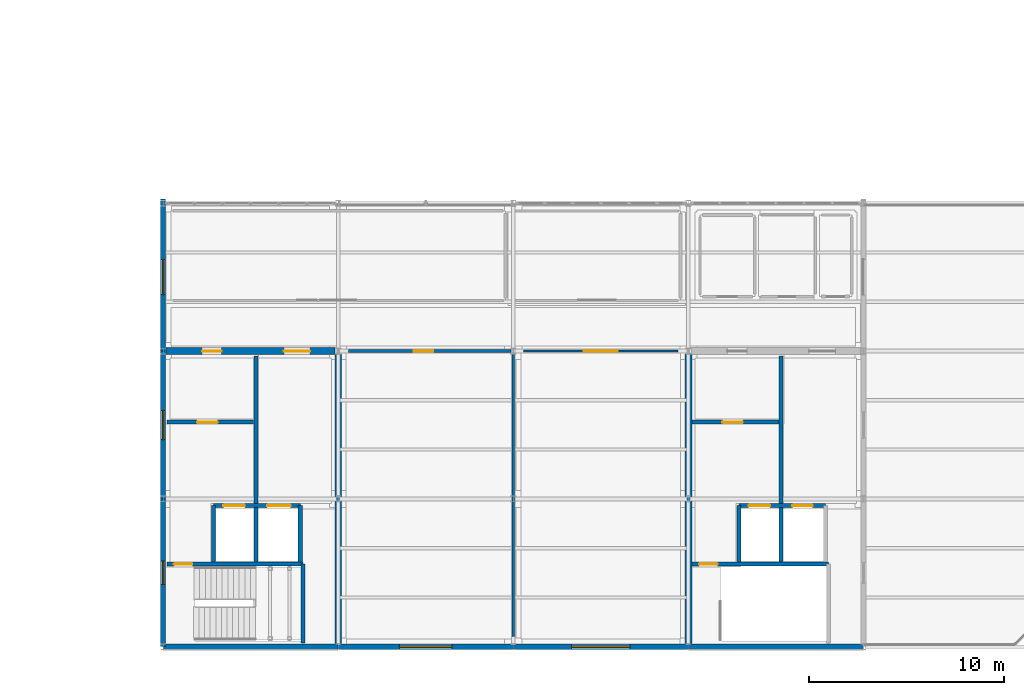
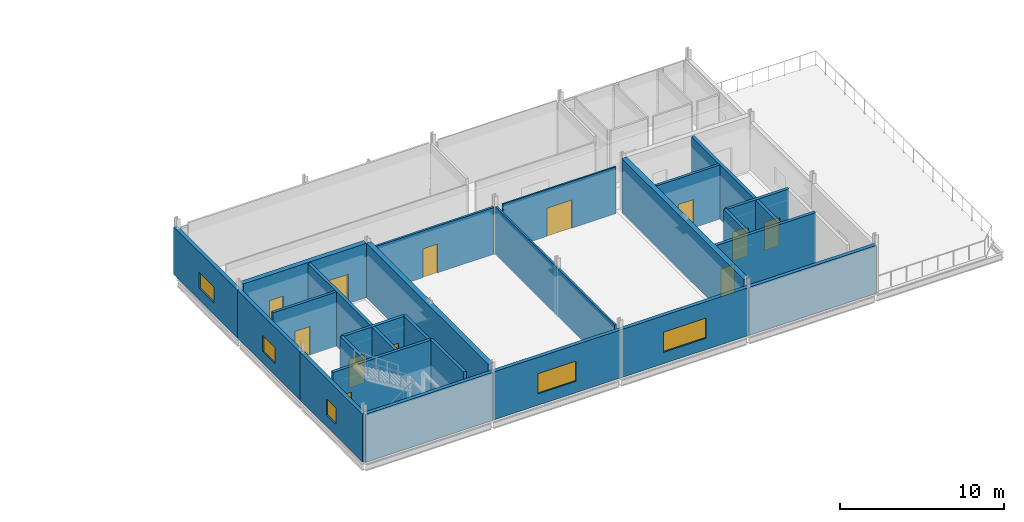
# One storey, part 20 of 24: 25 walls, 12 doors, 5 windows, 17 openings.
"""IFC4 building model written with IfcOpenShell, lengths in metres."""

import ifcopenshell
import ifcopenshell.guid

model = None  # the IFC model being written
_history = None  # IfcOwnerHistory: only IFC2X3 demands one
_inside = {}  # id of a spatial element -> (the spatial element, [elements in it])
_under = {}  # id of a project, library or spatial element -> (it, [spatial elements below it])
_declared = {}  # id of a project -> (the project, [libraries it declares])
_typed = {}  # id of a type object -> (the type object, [elements of that type])
_made_of = {}  # id of a material, layer set ... -> (it, [elements and type objects made of it])


def new_model(schema):
    """Start an empty IFC model of exactly this schema.

    Asked for "IFC4X3", IfcOpenShell would pick the latest addendum, in which some entities
    have other attributes; the version numbers below select the first issue.
    IFC2X3 requires an IfcOwnerHistory on every rooted entity: one is made here for all.
    """
    global model, _history
    if schema == "IFC4X3":
        model = ifcopenshell.file(schema_version=(4, 3, 0, 0))
    else:
        model = ifcopenshell.file(schema=schema)
    _inside.clear()
    _under.clear()
    _declared.clear()
    _typed.clear()
    _made_of.clear()
    _history = None
    if model.schema == "IFC2X3":
        org = make("IfcOrganization", Name="unknown")
        user = make(
            "IfcPersonAndOrganization",
            ThePerson=make("IfcPerson", FamilyName="unknown"),
            TheOrganization=org,
        )
        app = make(
            "IfcApplication",
            ApplicationDeveloper=org,
            Version="unknown",
            ApplicationFullName="unknown",
            ApplicationIdentifier="unknown",
        )
        _history = make(
            "IfcOwnerHistory",
            OwningUser=user,
            OwningApplication=app,
            ChangeAction="ADDED",
            CreationDate=0,
        )
    return model


def make(cls, **values):
    """One entity of the class cls with the attributes given. An attribute that is None is left unset."""
    return model.create_entity(
        cls, **{name: value for name, value in values.items() if value is not None}
    )


def rooted(cls, **values):
    """An entity with a GlobalId (a new one), such as an element, a storey or a relation."""
    return make(cls, GlobalId=ifcopenshell.guid.new(), OwnerHistory=_history, **values)


def si_unit(unit_type, name, prefix=None):
    """IfcSIUnit, for example si_unit("LENGTHUNIT", "METRE", prefix="MILLI")."""
    return make("IfcSIUnit", UnitType=unit_type, Prefix=prefix, Name=name)


def assignment(units):
    """IfcUnitAssignment: the units of a project."""
    return None if units is None else make("IfcUnitAssignment", Units=units)


def point(xyz):
    """IfcCartesianPoint."""
    return None if xyz is None else make("IfcCartesianPoint", Coordinates=xyz)


def direction(xyz):
    """IfcDirection."""
    return None if xyz is None else make("IfcDirection", DirectionRatios=xyz)


def frame(location, z_axis=None, x_axis=None):
    """IfcAxis2Placement3D, a coordinate frame: its origin and axes. An axis left out is left unset."""
    return make(
        "IfcAxis2Placement3D",
        Location=point(location),
        Axis=direction(z_axis),
        RefDirection=direction(x_axis),
    )


def frame_2d(location, x_axis=None):
    """IfcAxis2Placement2D, a coordinate frame in the plane: its origin and x axis."""
    return make(
        "IfcAxis2Placement2D", Location=point(location), RefDirection=direction(x_axis)
    )


def origin():
    """The frame at (0, 0, 0) with its axes left unset."""
    return frame((0.0, 0.0, 0.0))


def place(relative_to, where):
    """IfcLocalPlacement: puts the frame where relative to a parent placement (None: the world)."""
    return make(
        "IfcLocalPlacement", PlacementRelTo=relative_to, RelativePlacement=where
    )


def context(
    kind, dimensions, precision=None, world=None, true_north=None, identifier=None
):
    """IfcGeometricRepresentationContext, for example the 3D "Model" context."""
    return make(
        "IfcGeometricRepresentationContext",
        ContextIdentifier=identifier,
        ContextType=kind,
        CoordinateSpaceDimension=dimensions,
        Precision=precision,
        WorldCoordinateSystem=world,
        TrueNorth=true_north,
    )


def subcontext(parent, identifier, kind, view, scale=None):
    """IfcGeometricRepresentationSubContext, for example "Body" below "Model"."""
    return make(
        "IfcGeometricRepresentationSubContext",
        ContextIdentifier=identifier,
        ContextType=kind,
        ParentContext=parent,
        TargetScale=scale,
        TargetView=view,
    )


def project(units=None, contexts=None):
    """IfcProject with its units and contexts."""
    return rooted(
        "IfcProject",
        Name="project",
        RepresentationContexts=contexts,
        UnitsInContext=assignment(units),
    )


def spatial(cls, under=None, at=None, **own):
    """A site, building, storey or space (cls), placed at a placement, below another one or the project."""
    s = rooted(cls, ObjectPlacement=at, **own)
    if under is not None:
        _under.setdefault(under.id(), (under, []))[1].append(s)
    return s


def profile(cls, at=None, kind="AREA", **sizes):
    """A parametric profile (cls). Its sizes go by their IFC names, for example OverallWidth=200.0."""
    return make(cls, ProfileType=kind, Position=at, **sizes)


def rectangle(**sizes):
    """IfcRectangleProfileDef."""
    return profile("IfcRectangleProfileDef", **sizes)


def extrude(swept, where, along, depth):
    """IfcExtrudedAreaSolid: the profile swept, set in the frame where, extruded along a direction by depth."""
    return make(
        "IfcExtrudedAreaSolid",
        SweptArea=swept,
        Position=where,
        ExtrudedDirection=direction(along),
        Depth=depth,
    )


def shape(context_of_items, identifier, shape_type, items):
    """IfcShapeRepresentation: the items that make up one representation, for example the "Body"."""
    return make(
        "IfcShapeRepresentation",
        ContextOfItems=context_of_items,
        RepresentationIdentifier=identifier,
        RepresentationType=shape_type,
        Items=items,
    )


def material(Name=None, Category=None):
    """IfcMaterial."""
    return make("IfcMaterial", Name=Name, Category=Category)


def layer(
    of_material, thickness, ventilated=None, Name=None, Category=None, Priority=None
):
    """IfcMaterialLayer: one layer of a wall or slab, of a material (None: an air gap)."""
    return make(
        "IfcMaterialLayer",
        Material=of_material,
        LayerThickness=thickness,
        IsVentilated=ventilated,
        Name=Name,
        Category=Category,
        Priority=Priority,
    )


def layer_set(layers, Name=None):
    """IfcMaterialLayerSet."""
    return make("IfcMaterialLayerSet", MaterialLayers=layers, LayerSetName=Name)


def made_of(thing, what):
    """Note that an element or type object is made of a material, layer set ...; save() writes the relation."""
    if what is not None:
        _made_of.setdefault(what.id(), (what, []))[1].append(thing)
    return thing


def type_object(cls, material=None, **own):
    """A type object (cls), such as IfcWallType, which elements share."""
    return made_of(rooted(cls, **own), material)


def element(
    cls,
    number,
    at=None,
    inside=None,
    cuts=None,
    type_object=None,
    material=None,
    context=None,
    identifier="Body",
    shape_type=None,
    held_by="IfcProductDefinitionShape",
    body=None,
    shapes=None,
    **own,
):
    """One element of the class cls, such as IfcWall. Its Tag is "e" and its number.

    at: its placement. inside: the storey or other place that contains it. cuts: it is an
    opening in that element (IfcRelVoidsElement). A single representation is given by context,
    identifier, shape_type and body (its items); several are given by shapes. held_by: the class
    of the entity that holds the representations. save() writes the other relations.
    """
    e = rooted(cls, Tag="e%d" % number, ObjectPlacement=at, **own)
    if body is not None:
        shapes = [shape(context, identifier, shape_type, body)]
    if shapes is not None:
        e.Representation = make(held_by, Representations=shapes)
    if inside is not None:
        _inside.setdefault(inside.id(), (inside, []))[1].append(e)
    if cuts is not None:
        rooted(
            "IfcRelVoidsElement", RelatingBuildingElement=cuts, RelatedOpeningElement=e
        )
    if type_object is not None:
        _typed.setdefault(type_object.id(), (type_object, []))[1].append(e)
    return made_of(e, material)


def fill(opening, filler):
    """IfcRelFillsElement: the door or window that sits in an opening."""
    return rooted(
        "IfcRelFillsElement",
        RelatingOpeningElement=opening,
        RelatedBuildingElement=filler,
    )


def aggregate(whole, parts):
    """IfcRelAggregates: a whole, such as a stair, and the parts it consists of."""
    return rooted("IfcRelAggregates", RelatingObject=whole, RelatedObjects=parts)


def save(model, path):
    """Write the relations noted so far, then the file.

    IfcRelAggregates (storeys below a building ...), IfcRelContainedInSpatialStructure (elements
    in a storey), IfcRelDefinesByType, IfcRelAssociatesMaterial and IfcRelDeclares: one each for
    every whole, place, type object, material and project.
    """
    for whole, parts in _under.values():
        aggregate(whole, parts)
    for where, things in _inside.values():
        rooted(
            "IfcRelContainedInSpatialStructure",
            RelatedElements=things,
            RelatingStructure=where,
        )
    for kind, things in _typed.values():
        rooted("IfcRelDefinesByType", RelatedObjects=things, RelatingType=kind)
    for what, things in _made_of.values():
        rooted("IfcRelAssociatesMaterial", RelatedObjects=things, RelatingMaterial=what)
    for by, libraries in _declared.values():
        rooted("IfcRelDeclares", RelatingContext=by, RelatedDefinitions=libraries)
    model.write(path)


model = new_model("IFC4")

# Units and contexts
model_context = context("Model", 3, precision=1e-05, world=origin(), true_north=direction((0.0, 1.0)))
body_context = subcontext(model_context, "Body", "Model", "MODEL_VIEW")
ifc_project = project(units=[si_unit("LENGTHUNIT", "METRE"), si_unit("AREAUNIT", "SQUARE_METRE"), si_unit("VOLUMEUNIT", "CUBIC_METRE"), si_unit("PLANEANGLEUNIT", "RADIAN"), si_unit("MASSUNIT", "GRAM", prefix="KILO")], contexts=[model_context])

# Site, building, storey
site_placement = place(None, origin())
site = spatial("IfcSite", under=ifc_project, at=site_placement, CompositionType="ELEMENT")
building_placement = place(site_placement, origin())
building = spatial("IfcBuilding", under=site, at=building_placement, Name="Caisbarro Railhouse Central Library", CompositionType="ELEMENT")
storey_placement = place(building_placement, frame((0.0, 0.0, 22.320068359375)))
storey = spatial("IfcBuildingStorey", under=building, at=storey_placement, Name="L05", CompositionType="ELEMENT", Elevation=22.320068359375)

# Wall, openings, doors
ifc_material_1 = material(Name="Concrete C40", Category="concrete")
ifc_layer_1 = layer(ifc_material_1, 0.35009765625, Name="Concrete C40")
ifc_layer_set_1 = layer_set([ifc_layer_1], Name="Concrete C40")
wall_type_1 = type_object("IfcWallType", Name="WAL-CW35", PredefinedType="SHEAR", material=ifc_layer_set_1)
wall_1_placement = place(storey_placement, frame((63.159912109375, 15.199951171875, 0.0), z_axis=(0.0, 0.0, 1.0), x_axis=(1.0, 0.0, 0.0)))
wall_1 = element("IfcWall", 1, at=wall_1_placement, inside=storey, type_object=wall_type_1, Name="CW35 RC core shear wall L05 #18", PredefinedType="SHEAR", context=body_context, shape_type="SweptSolid", body=[
    extrude(rectangle(XDim=8.68017578125, YDim=0.35009765625, at=frame_2d((4.340087890625, 0.0))), origin(), (0.0, 0.0, 1.0), 4.0400390625),
])
opening_1_placement = place(wall_1_placement, frame((1.85009765625, 0.0, 0.0)))
opening_1 = element("IfcOpeningElement", 2, at=opening_1_placement, cuts=wall_1, Name="Opening FD05", PredefinedType="OPENING", context=body_context, shape_type="SweptSolid", body=[
    extrude(rectangle(XDim=1.0, YDim=2.14990234375, at=frame_2d((0.5, 1.074951171875))), frame((0.0, 0.18505859375, 0.0), z_axis=(0.0, -1.0, 0.0), x_axis=(1.0, 0.0, 0.0)), (0.0, 0.0, 1.0), 0.3701171875),
])
opening_2_placement = place(wall_1_placement, frame((6.050048828125, 0.0, 0.0)))
opening_2 = element("IfcOpeningElement", 3, at=opening_2_placement, cuts=wall_1, Name="Opening FD06", PredefinedType="OPENING", context=body_context, shape_type="SweptSolid", body=[
    extrude(rectangle(XDim=1.35009765625, YDim=2.179931640625, at=frame_2d((0.675048828125, 1.08984375))), frame((0.0, 0.18505859375, 0.0), z_axis=(0.0, -1.0, 0.0), x_axis=(1.0, 0.0, 0.0)), (0.0, 0.0, 1.0), 0.3701171875),
])
ifc_material_2 = material(Name="Fire-rated painted galvanised steel", Category="steel")
door_type_1 = type_object("IfcDoorType", Name="DR-FD05", OperationType="NOTDEFINED", PredefinedType="DOOR", material=ifc_material_2)
door_1_placement = place(opening_1_placement, origin())
door_1 = element("IfcDoor", 4, at=door_1_placement, inside=storey, type_object=door_type_1, Name="Core K1 Vestibule Door FD05 L05-041", OperationType="SINGLE_SWING_LEFT", OverallHeight=2.14990234375, OverallWidth=1.0, PredefinedType="DOOR", context=body_context, shape_type="SweptSolid", body=[
    extrude(rectangle(XDim=1.0, YDim=2.14990234375, at=frame_2d((0.5, 1.074951171875))), frame((0.0, 0.02490234375, 0.0), z_axis=(0.0, -1.0, 0.0), x_axis=(1.0, 0.0, 0.0)), (0.0, 0.0, 1.0), 0.050048828125),
])
fill(opening_1, door_1)
door_type_2 = type_object("IfcDoorType", Name="DR-FD06", OperationType="NOTDEFINED", PredefinedType="DOOR", material=ifc_material_2)
door_2_placement = place(opening_2_placement, origin())
door_2 = element("IfcDoor", 5, at=door_2_placement, inside=storey, type_object=door_type_2, Name="Core K1 Lift Lobby Door FD06 L05-042", OperationType="SINGLE_SWING_RIGHT", OverallHeight=2.179931640625, OverallWidth=1.35009765625, PredefinedType="DOOR", context=body_context, shape_type="SweptSolid", body=[
    extrude(rectangle(XDim=1.35009765625, YDim=2.179931640625, at=frame_2d((0.675048828125, 1.08984375))), frame((0.0, 0.02490234375, 0.0), z_axis=(0.0, -1.0, 0.0), x_axis=(1.0, 0.0, 0.0)), (0.0, 0.0, 1.0), 0.050048828125),
])
fill(opening_2, door_2)

# Walls
for number, where, z_axis, x_axis, name in (
    (6, (72.0, 0.159912109375, 0.0), (0.0, 0.0, 1.0), (0.0, 1.0, 0.0), "CW35 RC core shear wall L05 #19"),
    (7, (90.0, 0.159912109375, 0.0), (0.0, 0.0, 1.0), (0.0, 1.0, 0.0), "CW35 RC core shear wall L05 #39"),
):
    element("IfcWall", number, at=place(storey_placement, frame(where, z_axis=z_axis, x_axis=x_axis)), inside=storey, type_object=wall_type_1, Name=name, PredefinedType="SHEAR", context=body_context, shape_type="SweptSolid", body=[
        extrude(rectangle(XDim=14.880126953125, YDim=0.35009765625, at=frame_2d((7.43994140625, 0.0))), origin(), (0.0, 0.0, 1.0), 4.0400390625),
    ])
ifc_material_3 = material(Name="Concrete C35 insulated architectural precast", Category="concrete")
ifc_layer_2 = layer(ifc_material_3, 0.260009765625, Name="Concrete C35 insulated architectural precast")
ifc_layer_set_2 = layer_set([ifc_layer_2], Name="Concrete C35 insulated architectural precast")
wall_type_2 = type_object("IfcWallType", Name="WAL-EW26", PredefinedType="STANDARD", material=ifc_layer_set_2)
wall_2_placement = place(storey_placement, frame((63.0, 0.0, 0.0), z_axis=(0.0, 0.0, 1.0), x_axis=(1.0, 0.0, 0.0)))
element("IfcWall", 8, at=wall_2_placement, inside=storey, type_object=wall_type_2, Name="EW26 exterior wall L05 #128", PredefinedType="STANDARD", context=body_context, shape_type="SweptSolid", body=[
    extrude(rectangle(XDim=9.0, YDim=0.260009765625, at=frame_2d((4.5, 0.0))), origin(), (0.0, 0.0, 1.0), 3.571044921875),
])

# Wall, opening, window
wall_3_placement = place(storey_placement, frame((72.0, 0.0, 0.0), z_axis=(0.0, 0.0, 1.0), x_axis=(1.0, 0.0, 0.0)))
wall_3 = element("IfcWall", 9, at=wall_3_placement, inside=storey, type_object=wall_type_2, Name="EW26 exterior wall L05 #129", PredefinedType="STANDARD", context=body_context, shape_type="SweptSolid", body=[
    extrude(rectangle(XDim=9.0, YDim=0.260009765625, at=frame_2d((4.5, 0.0))), origin(), (0.0, 0.0, 1.0), 3.571044921875),
])
opening_3_placement = place(wall_3_placement, frame((3.14990234375, 0.0, 0.85009765625)))
opening_3 = element("IfcOpeningElement", 10, at=opening_3_placement, cuts=wall_3, Name="Opening W26", PredefinedType="OPENING", context=body_context, shape_type="SweptSolid", body=[
    extrude(rectangle(XDim=2.699951171875, YDim=1.5, at=frame_2d((1.35009765625, 0.75))), frame((0.0, 0.14013671875, 0.0), z_axis=(0.0, -1.0, 0.0), x_axis=(1.0, 0.0, 0.0)), (0.0, 0.0, 1.0), 0.280029296875),
])
ifc_material_4 = material(Name="Double low-e laminated solar-control glass", Category="glass")
window_type_1 = type_object("IfcWindowType", Name="WIN-W26", PartitioningType="SINGLE_PANEL", PredefinedType="WINDOW", material=ifc_material_4)
window_1_placement = place(opening_3_placement, origin())
window_1 = element("IfcWindow", 11, at=window_1_placement, inside=storey, type_object=window_type_1, Name="W26 window L05-045", OverallHeight=1.5, OverallWidth=2.699951171875, PartitioningType="SINGLE_PANEL", PredefinedType="WINDOW", context=body_context, shape_type="SweptSolid", body=[
    extrude(rectangle(XDim=2.699951171875, YDim=1.5, at=frame_2d((1.35009765625, 0.75))), frame((0.0, 0.030029296875, 0.0), z_axis=(0.0, -1.0, 0.0), x_axis=(1.0, 0.0, 0.0)), (0.0, 0.0, 1.0), 0.06005859375),
])
fill(opening_3, window_1)

wall_4_placement = place(storey_placement, frame((81.0, 0.0, 0.0), z_axis=(0.0, 0.0, 1.0), x_axis=(1.0, 0.0, 0.0)))
wall_4 = element("IfcWall", 12, at=wall_4_placement, inside=storey, type_object=wall_type_2, Name="EW26 exterior wall L05 #130", PredefinedType="STANDARD", context=body_context, shape_type="SweptSolid", body=[
    extrude(rectangle(XDim=9.0, YDim=0.260009765625, at=frame_2d((4.5, 0.0))), origin(), (0.0, 0.0, 1.0), 3.571044921875),
])
opening_4_placement = place(wall_4_placement, frame((3.0, 0.0, 0.85009765625)))
opening_4 = element("IfcOpeningElement", 13, at=opening_4_placement, cuts=wall_4, Name="Opening W27", PredefinedType="OPENING", context=body_context, shape_type="SweptSolid", body=[
    extrude(rectangle(XDim=3.0, YDim=1.5, at=frame_2d((1.5, 0.75))), frame((0.0, 0.14013671875, 0.0), z_axis=(0.0, -1.0, 0.0), x_axis=(1.0, 0.0, 0.0)), (0.0, 0.0, 1.0), 0.280029296875),
])
window_type_2 = type_object("IfcWindowType", Name="WIN-W27", PartitioningType="SINGLE_PANEL", PredefinedType="WINDOW", material=ifc_material_4)
window_2_placement = place(opening_4_placement, origin())
window_2 = element("IfcWindow", 14, at=window_2_placement, inside=storey, type_object=window_type_2, Name="W27 window L05-046", OverallHeight=1.5, OverallWidth=3.0, PartitioningType="SINGLE_PANEL", PredefinedType="WINDOW", context=body_context, shape_type="SweptSolid", body=[
    extrude(rectangle(XDim=3.0, YDim=1.5, at=frame_2d((1.5, 0.75))), frame((0.0, 0.030029296875, 0.0), z_axis=(0.0, -1.0, 0.0), x_axis=(1.0, 0.0, 0.0)), (0.0, 0.0, 1.0), 0.06005859375),
])
fill(opening_4, window_2)

# Wall
wall_5_placement = place(storey_placement, frame((90.0, 0.0, 0.0), z_axis=(0.0, 0.0, 1.0), x_axis=(1.0, 0.0, 0.0)))
element("IfcWall", 15, at=wall_5_placement, inside=storey, type_object=wall_type_2, Name="EW26 exterior wall L05 #131", PredefinedType="STANDARD", context=body_context, shape_type="SweptSolid", body=[
    extrude(rectangle(XDim=9.0, YDim=0.260009765625, at=frame_2d((4.5, 0.0))), origin(), (0.0, 0.0, 1.0), 3.571044921875),
])

# Wall, opening, window
wall_6_placement = place(storey_placement, frame((63.0, 0.0, 0.0), z_axis=(0.0, 0.0, 1.0), x_axis=(0.0, 1.0, 0.0)))
wall_6 = element("IfcWall", 16, at=wall_6_placement, inside=storey, type_object=wall_type_2, Name="EW26 exterior wall L05 #133", PredefinedType="STANDARD", context=body_context, shape_type="SweptSolid", body=[
    extrude(rectangle(XDim=7.60009765625, YDim=0.260009765625, at=frame_2d((3.800048828125, 0.0))), origin(), (0.0, 0.0, 1.0), 3.558837890625),
])
opening_5_placement = place(wall_6_placement, frame((3.199951171875, 0.0, 0.85009765625)))
opening_5 = element("IfcOpeningElement", 17, at=opening_5_placement, cuts=wall_6, Name="Opening W03", PredefinedType="OPENING", context=body_context, shape_type="SweptSolid", body=[
    extrude(rectangle(XDim=1.199951171875, YDim=1.199951171875, at=frame_2d((0.60009765625, 0.60009765625))), frame((0.0, 0.14013671875, 0.0), z_axis=(0.0, -1.0, 0.0), x_axis=(1.0, 0.0, 0.0)), (0.0, 0.0, 1.0), 0.280029296875),
])
window_type_3 = type_object("IfcWindowType", Name="WIN-W03", PartitioningType="SINGLE_PANEL", PredefinedType="WINDOW", material=ifc_material_4)
window_3_placement = place(opening_5_placement, origin())
window_3 = element("IfcWindow", 18, at=window_3_placement, inside=storey, type_object=window_type_3, Name="W03 window L05-048", OverallHeight=1.199951171875, OverallWidth=1.199951171875, PartitioningType="SINGLE_PANEL", PredefinedType="WINDOW", context=body_context, shape_type="SweptSolid", body=[
    extrude(rectangle(XDim=1.199951171875, YDim=1.199951171875, at=frame_2d((0.60009765625, 0.60009765625))), frame((0.0, 0.030029296875, 0.0), z_axis=(0.0, -1.0, 0.0), x_axis=(1.0, 0.0, 0.0)), (0.0, 0.0, 1.0), 0.06005859375),
])
fill(opening_5, window_3)

wall_7_placement = place(storey_placement, frame((63.0, 7.60009765625, 0.0), z_axis=(0.0, 0.0, 1.0), x_axis=(0.0, 1.0, 0.0)))
wall_7 = element("IfcWall", 19, at=wall_7_placement, inside=storey, type_object=wall_type_2, Name="EW26 exterior wall L05 #135", PredefinedType="STANDARD", context=body_context, shape_type="SweptSolid", body=[
    extrude(rectangle(XDim=7.599853515625, YDim=0.260009765625, at=frame_2d((3.7998046875, 0.0))), origin(), (0.0, 0.0, 1.0), 3.558837890625),
])
opening_6_placement = place(wall_7_placement, frame((3.050048828125, 0.0, 0.85009765625)))
opening_6 = element("IfcOpeningElement", 20, at=opening_6_placement, cuts=wall_7, Name="Opening W05", PredefinedType="OPENING", context=body_context, shape_type="SweptSolid", body=[
    extrude(rectangle(XDim=1.5, YDim=1.199951171875, at=frame_2d((0.75, 0.60009765625))), frame((0.0, 0.14013671875, 0.0), z_axis=(0.0, -1.0, 0.0), x_axis=(1.0, 0.0, 0.0)), (0.0, 0.0, 1.0), 0.280029296875),
])
window_type_4 = type_object("IfcWindowType", Name="WIN-W05", PartitioningType="SINGLE_PANEL", PredefinedType="WINDOW", material=ifc_material_4)
window_4_placement = place(opening_6_placement, origin())
window_4 = element("IfcWindow", 21, at=window_4_placement, inside=storey, type_object=window_type_4, Name="W05 window L05-050", OverallHeight=1.199951171875, OverallWidth=1.5, PartitioningType="SINGLE_PANEL", PredefinedType="WINDOW", context=body_context, shape_type="SweptSolid", body=[
    extrude(rectangle(XDim=1.5, YDim=1.199951171875, at=frame_2d((0.75, 0.60009765625))), frame((0.0, 0.030029296875, 0.0), z_axis=(0.0, -1.0, 0.0), x_axis=(1.0, 0.0, 0.0)), (0.0, 0.0, 1.0), 0.06005859375),
])
fill(opening_6, window_4)

wall_8_placement = place(storey_placement, frame((63.0, 15.199951171875, 0.0), z_axis=(0.0, 0.0, 1.0), x_axis=(0.0, 1.0, 0.0)))
wall_8 = element("IfcWall", 22, at=wall_8_placement, inside=storey, type_object=wall_type_2, Name="EW26 exterior wall L05 #137", PredefinedType="STANDARD", context=body_context, shape_type="SweptSolid", body=[
    extrude(rectangle(XDim=7.81005859375, YDim=0.260009765625, at=frame_2d((3.905029296875, 0.0))), origin(), (0.0, 0.0, 1.0), 3.558837890625),
])
opening_7_placement = place(wall_8_placement, frame((2.89990234375, 0.0, 0.85009765625)))
opening_7 = element("IfcOpeningElement", 23, at=opening_7_placement, cuts=wall_8, Name="Opening W07", PredefinedType="OPENING", context=body_context, shape_type="SweptSolid", body=[
    extrude(rectangle(XDim=1.800048828125, YDim=1.199951171875, at=frame_2d((0.89990234375, 0.60009765625))), frame((0.0, 0.14013671875, 0.0), z_axis=(0.0, -1.0, 0.0), x_axis=(1.0, 0.0, 0.0)), (0.0, 0.0, 1.0), 0.280029296875),
])
window_type_5 = type_object("IfcWindowType", Name="WIN-W07", PartitioningType="SINGLE_PANEL", PredefinedType="WINDOW", material=ifc_material_4)
window_5_placement = place(opening_7_placement, origin())
window_5 = element("IfcWindow", 24, at=window_5_placement, inside=storey, type_object=window_type_5, Name="W07 window L05-051", OverallHeight=1.199951171875, OverallWidth=1.800048828125, PartitioningType="SINGLE_PANEL", PredefinedType="WINDOW", context=body_context, shape_type="SweptSolid", body=[
    extrude(rectangle(XDim=1.800048828125, YDim=1.199951171875, at=frame_2d((0.89990234375, 0.60009765625))), frame((0.0, 0.030029296875, 0.0), z_axis=(0.0, -1.0, 0.0), x_axis=(1.0, 0.0, 0.0)), (0.0, 0.0, 1.0), 0.06005859375),
])
fill(opening_7, window_5)

# Wall, opening, door
ifc_material_5 = material(Name="Acoustic gypsum board on galvanised steel studs", Category="steel")
ifc_layer_3 = layer(ifc_material_5, 0.110107421875, Name="Acoustic gypsum board on galvanised steel studs")
ifc_layer_set_3 = layer_set([ifc_layer_3], Name="Acoustic gypsum board on galvanised steel studs")
wall_type_3 = type_object("IfcWallType", Name="WAL-IW11", PredefinedType="PARTITIONING", material=ifc_layer_set_3)
wall_9_placement = place(storey_placement, frame((81.52001953125, 15.199951171875, 0.0), z_axis=(0.0, 0.0, 1.0), x_axis=(1.0, 0.0, 0.0)))
wall_9 = element("IfcWall", 25, at=wall_9_placement, inside=storey, type_object=wall_type_3, Name="IW11 partition wall L05 #643", PredefinedType="PARTITIONING", context=body_context, shape_type="SweptSolid", body=[
    extrude(rectangle(XDim=7.9599609375, YDim=0.110107421875, at=frame_2d((3.97998046875, 0.0))), origin(), (0.0, 0.0, 1.0), 3.48388671875),
])
opening_8_placement = place(wall_9_placement, frame((3.110107421875, 0.0, 0.0)))
opening_8 = element("IfcOpeningElement", 26, at=opening_8_placement, cuts=wall_9, Name="Opening ID21", PredefinedType="OPENING", context=body_context, shape_type="SweptSolid", body=[
    extrude(rectangle(XDim=1.739990234375, YDim=2.10009765625, at=frame_2d((0.8701171875, 1.050048828125))), frame((0.0, 0.06494140625, 0.0), z_axis=(0.0, -1.0, 0.0), x_axis=(1.0, 0.0, 0.0)), (0.0, 0.0, 1.0), 0.130126953125),
])
ifc_material_6 = material(Name="Solid-core tropical hardwood veneer", Category="wood")
door_type_3 = type_object("IfcDoorType", Name="DR-ID21", OperationType="NOTDEFINED", PredefinedType="DOOR", material=ifc_material_6)
door_3_placement = place(opening_8_placement, origin())
door_3 = element("IfcDoor", 27, at=door_3_placement, inside=storey, type_object=door_type_3, Name="Cartography and Rare-Atlas Reading Room Door ID21 L05-349", OperationType="SINGLE_SWING_LEFT", OverallHeight=2.10009765625, OverallWidth=1.739990234375, PredefinedType="DOOR", context=body_context, shape_type="SweptSolid", body=[
    extrude(rectangle(XDim=1.739990234375, YDim=2.10009765625, at=frame_2d((0.8701171875, 1.050048828125))), frame((0.0, 0.02490234375, 0.0), z_axis=(0.0, -1.0, 0.0), x_axis=(1.0, 0.0, 0.0)), (0.0, 0.0, 1.0), 0.050048828125),
])
fill(opening_8, door_3)

# Wall
ifc_layer_4 = layer(ifc_material_5, 0.1298828125, Name="Acoustic gypsum board on galvanised steel studs")
ifc_layer_set_4 = layer_set([ifc_layer_4], Name="Acoustic gypsum board on galvanised steel studs")
wall_type_4 = type_object("IfcWallType", Name="WAL-IW13", PredefinedType="PARTITIONING", material=ifc_layer_set_4)
wall_10_placement = place(storey_placement, frame((81.0, 0.52001953125, 0.0), z_axis=(0.0, 0.0, 1.0), x_axis=(0.0, 1.0, 0.0)))
element("IfcWall", 28, at=wall_10_placement, inside=storey, type_object=wall_type_4, Name="IW13 partition wall L05 #642", PredefinedType="PARTITIONING", context=body_context, shape_type="SweptSolid", body=[
    extrude(rectangle(XDim=14.56005859375, YDim=0.1298828125, at=frame_2d((7.280029296875, 0.0))), origin(), (0.0, 0.0, 1.0), 3.558837890625),
])

# Wall, opening, door
ifc_layer_5 = layer(ifc_material_5, 0.14990234375, Name="Acoustic gypsum board on galvanised steel studs")
ifc_layer_set_5 = layer_set([ifc_layer_5], Name="Acoustic gypsum board on galvanised steel studs")
wall_type_5 = type_object("IfcWallType", Name="WAL-IW15", PredefinedType="PARTITIONING", material=ifc_layer_set_5)
wall_11_placement = place(storey_placement, frame((72.52001953125, 15.199951171875, 0.0), z_axis=(0.0, 0.0, 1.0), x_axis=(1.0, 0.0, 0.0)))
wall_11 = element("IfcWall", 29, at=wall_11_placement, inside=storey, type_object=wall_type_5, Name="IW15 partition wall L05 #641", PredefinedType="PARTITIONING", context=body_context, shape_type="SweptSolid", body=[
    extrude(rectangle(XDim=8.35986328125, YDim=0.14990234375, at=frame_2d((4.179931640625, 0.0))), origin(), (0.0, 0.0, 1.0), 3.48388671875),
])
opening_9_placement = place(wall_11_placement, frame((3.360107421875, 0.0, 0.0)))
opening_9 = element("IfcOpeningElement", 30, at=opening_9_placement, cuts=wall_11, Name="Opening FD05", PredefinedType="OPENING", context=body_context, shape_type="SweptSolid", body=[
    extrude(rectangle(XDim=1.0, YDim=2.14990234375, at=frame_2d((0.5, 1.074951171875))), frame((0.0, 0.0849609375, 0.0), z_axis=(0.0, -1.0, 0.0), x_axis=(1.0, 0.0, 0.0)), (0.0, 0.0, 1.0), 0.169921875),
])
door_4_placement = place(opening_9_placement, origin())
door_4 = element("IfcDoor", 31, at=door_4_placement, inside=storey, type_object=door_type_1, Name="Paper Conservation Laboratory Door FD05 L05-348", OperationType="SINGLE_SWING_RIGHT", OverallHeight=2.14990234375, OverallWidth=1.0, PredefinedType="DOOR", context=body_context, shape_type="SweptSolid", body=[
    extrude(rectangle(XDim=1.0, YDim=2.14990234375, at=frame_2d((0.5, 1.074951171875))), frame((0.0, 0.02490234375, 0.0), z_axis=(0.0, -1.0, 0.0), x_axis=(1.0, 0.0, 0.0)), (0.0, 0.0, 1.0), 0.050048828125),
])
fill(opening_9, door_4)

ifc_material_7 = material(Name="Plastered cellular concrete masonry", Category="masonry")
ifc_layer_6 = layer(ifc_material_7, 0.18994140625, Name="Plastered cellular concrete masonry")
ifc_layer_set_6 = layer_set([ifc_layer_6], Name="Plastered cellular concrete masonry")
wall_type_6 = type_object("IfcWallType", Name="WAL-SW19", PredefinedType="SOLIDWALL", material=ifc_layer_set_6)
wall_12_placement = place(storey_placement, frame((63.199951171875, 11.550048828125, 0.0), z_axis=(0.0, 0.0, 1.0), x_axis=(1.0, 0.0, 0.0)))
wall_12 = element("IfcWall", 32, at=wall_12_placement, inside=storey, type_object=wall_type_6, Name="SW19 partition wall L05 #49", PredefinedType="SOLIDWALL", context=body_context, shape_type="SweptSolid", body=[
    extrude(rectangle(XDim=4.449951171875, YDim=0.18994140625, at=frame_2d((2.22509765625, 0.0))), origin(), (0.0, 0.0, 1.0), 4.0400390625),
])
opening_10_placement = place(wall_12_placement, frame((1.550048828125, 0.0, 0.0)))
opening_10 = element("IfcOpeningElement", 33, at=opening_10_placement, cuts=wall_12, Name="Opening FD02", PredefinedType="OPENING", context=body_context, shape_type="SweptSolid", body=[
    extrude(rectangle(XDim=1.050048828125, YDim=2.1201171875, at=frame_2d((0.52490234375, 1.06005859375))), frame((0.0, 0.10498046875, 0.0), z_axis=(0.0, -1.0, 0.0), x_axis=(1.0, 0.0, 0.0)), (0.0, 0.0, 1.0), 0.2099609375),
])
door_type_4 = type_object("IfcDoorType", Name="DR-FD02", OperationType="NOTDEFINED", PredefinedType="DOOR", material=ifc_material_2)
door_5_placement = place(opening_10_placement, origin())
door_5 = element("IfcDoor", 34, at=door_5_placement, inside=storey, type_object=door_type_4, Name="Firefighting Lobby K1 Door FD02 L05-040", OperationType="SINGLE_SWING_RIGHT", OverallHeight=2.1201171875, OverallWidth=1.050048828125, PredefinedType="DOOR", context=body_context, shape_type="SweptSolid", body=[
    extrude(rectangle(XDim=1.050048828125, YDim=2.1201171875, at=frame_2d((0.52490234375, 1.06005859375))), frame((0.0, 0.02490234375, 0.0), z_axis=(0.0, -1.0, 0.0), x_axis=(1.0, 0.0, 0.0)), (0.0, 0.0, 1.0), 0.050048828125),
])
fill(opening_10, door_5)

wall_13_placement = place(storey_placement, frame((90.199951171875, 11.550048828125, 0.0), z_axis=(0.0, 0.0, 1.0), x_axis=(1.0, 0.0, 0.0)))
wall_13 = element("IfcWall", 35, at=wall_13_placement, inside=storey, type_object=wall_type_6, Name="SW19 partition wall L05 #98", PredefinedType="SOLIDWALL", context=body_context, shape_type="SweptSolid", body=[
    extrude(rectangle(XDim=4.449951171875, YDim=0.18994140625, at=frame_2d((2.22509765625, 0.0))), origin(), (0.0, 0.0, 1.0), 4.0400390625),
])
opening_11_placement = place(wall_13_placement, frame((1.550048828125, 0.0, 0.0)))
opening_11 = element("IfcOpeningElement", 36, at=opening_11_placement, cuts=wall_13, Name="Opening FD02", PredefinedType="OPENING", context=body_context, shape_type="SweptSolid", body=[
    extrude(rectangle(XDim=1.050048828125, YDim=2.1201171875, at=frame_2d((0.52490234375, 1.06005859375))), frame((0.0, 0.10498046875, 0.0), z_axis=(0.0, -1.0, 0.0), x_axis=(1.0, 0.0, 0.0)), (0.0, 0.0, 1.0), 0.2099609375),
])
door_6_placement = place(opening_11_placement, origin())
door_6 = element("IfcDoor", 37, at=door_6_placement, inside=storey, type_object=door_type_4, Name="Firefighting Lobby K2 Door FD02 L05-082", OperationType="SINGLE_SWING_RIGHT", OverallHeight=2.1201171875, OverallWidth=1.050048828125, PredefinedType="DOOR", context=body_context, shape_type="SweptSolid", body=[
    extrude(rectangle(XDim=1.050048828125, YDim=2.1201171875, at=frame_2d((0.52490234375, 1.06005859375))), frame((0.0, 0.02490234375, 0.0), z_axis=(0.0, -1.0, 0.0), x_axis=(1.0, 0.0, 0.0)), (0.0, 0.0, 1.0), 0.050048828125),
])
fill(opening_11, door_6)

ifc_layer_7 = layer(ifc_material_1, 0.2099609375, Name="Concrete C40")
ifc_layer_set_7 = layer_set([ifc_layer_7], Name="Concrete C40")
wall_type_7 = type_object("IfcWallType", Name="WAL-SW21", PredefinedType="SOLIDWALL", material=ifc_layer_set_7)
wall_14_placement = place(storey_placement, frame((63.199951171875, 4.25, 0.0), z_axis=(0.0, 0.0, 1.0), x_axis=(1.0, 0.0, 0.0)))
wall_14 = element("IfcWall", 38, at=wall_14_placement, inside=storey, type_object=wall_type_7, Name="SW21 core shaft wall L05 #43", PredefinedType="SOLIDWALL", context=body_context, shape_type="SweptSolid", body=[
    extrude(rectangle(XDim=7.0, YDim=0.2099609375, at=frame_2d((3.5, 0.0))), origin(), (0.0, 0.0, 1.0), 4.0400390625),
])
opening_12_placement = place(wall_14_placement, frame((0.35009765625, 0.0, 0.0)))
opening_12 = element("IfcOpeningElement", 39, at=opening_12_placement, cuts=wall_14, Name="Opening FD01", PredefinedType="OPENING", context=body_context, shape_type="SweptSolid", body=[
    extrude(rectangle(XDim=0.949951171875, YDim=2.1201171875, at=frame_2d((0.47509765625, 1.06005859375))), frame((0.0, 0.114990234375, 0.0), z_axis=(0.0, -1.0, 0.0), x_axis=(1.0, 0.0, 0.0)), (0.0, 0.0, 1.0), 0.22998046875),
])
door_type_5 = type_object("IfcDoorType", Name="DR-FD01", OperationType="NOTDEFINED", PredefinedType="DOOR", material=ifc_material_2)
door_7_placement = place(opening_12_placement, origin())
door_7 = element("IfcDoor", 40, at=door_7_placement, inside=storey, type_object=door_type_5, Name="Stair ST-01 Fire Door FD01 L05-037", OperationType="SINGLE_SWING_LEFT", OverallHeight=2.1201171875, OverallWidth=0.949951171875, PredefinedType="DOOR", context=body_context, shape_type="SweptSolid", body=[
    extrude(rectangle(XDim=0.949951171875, YDim=2.1201171875, at=frame_2d((0.47509765625, 1.06005859375))), frame((0.0, 0.02490234375, 0.0), z_axis=(0.0, -1.0, 0.0), x_axis=(1.0, 0.0, 0.0)), (0.0, 0.0, 1.0), 0.050048828125),
])
fill(opening_12, door_7)

# Walls
wall_15_placement = place(storey_placement, frame((70.199951171875, 0.199951171875, 0.0), z_axis=(0.0, 0.0, 1.0), x_axis=(0.0, 1.0, 0.0)))
element("IfcWall", 41, at=wall_15_placement, inside=storey, type_object=wall_type_7, Name="SW21 core shaft wall L05 #44", PredefinedType="SOLIDWALL", context=body_context, shape_type="SweptSolid", body=[
    extrude(rectangle(XDim=4.050048828125, YDim=0.2099609375, at=frame_2d((2.02490234375, 0.0))), origin(), (0.0, 0.0, 1.0), 4.0400390625),
])
wall_16_placement = place(storey_placement, frame((65.60009765625, 4.35009765625, 0.0), z_axis=(0.0, 0.0, 1.0), x_axis=(0.0, 1.0, 0.0)))
element("IfcWall", 42, at=wall_16_placement, inside=storey, type_object=wall_type_7, Name="SW21 core shaft wall L05 #45", PredefinedType="SOLIDWALL", context=body_context, shape_type="SweptSolid", body=[
    extrude(rectangle(XDim=2.89990234375, YDim=0.2099609375, at=frame_2d((1.449951171875, 0.0))), origin(), (0.0, 0.0, 1.0), 4.0400390625),
])
wall_17_placement = place(storey_placement, frame((67.77001953125, 4.35009765625, 0.0), z_axis=(0.0, 0.0, 1.0), x_axis=(0.0, 1.0, 0.0)))
element("IfcWall", 43, at=wall_17_placement, inside=storey, type_object=wall_type_7, Name="SW21 core shaft wall L05 #46", PredefinedType="SOLIDWALL", context=body_context, shape_type="SweptSolid", body=[
    extrude(rectangle(XDim=10.599853515625, YDim=0.2099609375, at=frame_2d((5.2998046875, 0.0))), origin(), (0.0, 0.0, 1.0), 4.0400390625),
])
wall_18_placement = place(storey_placement, frame((70.050048828125, 4.35009765625, 0.0), z_axis=(0.0, 0.0, 1.0), x_axis=(0.0, 1.0, 0.0)))
element("IfcWall", 44, at=wall_18_placement, inside=storey, type_object=wall_type_7, Name="SW21 core shaft wall L05 #47", PredefinedType="SOLIDWALL", context=body_context, shape_type="SweptSolid", body=[
    extrude(rectangle(XDim=2.89990234375, YDim=0.2099609375, at=frame_2d((1.449951171875, 0.0))), origin(), (0.0, 0.0, 1.0), 4.0400390625),
])

# Wall, openings, doors
wall_19_placement = place(storey_placement, frame((65.60009765625, 7.25, 0.0), z_axis=(0.0, 0.0, 1.0), x_axis=(1.0, 0.0, 0.0)))
wall_19 = element("IfcWall", 45, at=wall_19_placement, inside=storey, type_object=wall_type_7, Name="SW21 core shaft wall L05 #48", PredefinedType="SOLIDWALL", context=body_context, shape_type="SweptSolid", body=[
    extrude(rectangle(XDim=4.449951171875, YDim=0.2099609375, at=frame_2d((2.22509765625, 0.0))), origin(), (0.0, 0.0, 1.0), 4.0400390625),
])
opening_13_placement = place(wall_19_placement, frame((0.5, 0.0, 0.0)))
opening_13 = element("IfcOpeningElement", 46, at=opening_13_placement, cuts=wall_19, Name="Opening LD01", PredefinedType="OPENING", context=body_context, shape_type="SweptSolid", body=[
    extrude(rectangle(XDim=1.10009765625, YDim=2.139892578125, at=frame_2d((0.550048828125, 1.06982421875))), frame((0.0, 0.114990234375, 0.0), z_axis=(0.0, -1.0, 0.0), x_axis=(1.0, 0.0, 0.0)), (0.0, 0.0, 1.0), 0.22998046875),
])
opening_14_placement = place(wall_19_placement, frame((2.75, 0.0, 0.0)))
opening_14 = element("IfcOpeningElement", 47, at=opening_14_placement, cuts=wall_19, Name="Opening LD03", PredefinedType="OPENING", context=body_context, shape_type="SweptSolid", body=[
    extrude(rectangle(XDim=1.199951171875, YDim=2.179931640625, at=frame_2d((0.60009765625, 1.08984375))), frame((0.0, 0.114990234375, 0.0), z_axis=(0.0, -1.0, 0.0), x_axis=(1.0, 0.0, 0.0)), (0.0, 0.0, 1.0), 0.22998046875),
])
ifc_material_8 = material(Name="Brushed stainless steel elevator cab", Category="steel")
door_type_6 = type_object("IfcDoorType", Name="DR-LD01", OperationType="NOTDEFINED", PredefinedType="DOOR", material=ifc_material_8)
door_8_placement = place(opening_13_placement, origin())
door_8 = element("IfcDoor", 48, at=door_8_placement, inside=storey, type_object=door_type_6, Name="Lift FL-01 Landing Door LD01 L05-038", OperationType="SLIDING_TO_LEFT", OverallHeight=2.139892578125, OverallWidth=1.10009765625, PredefinedType="DOOR", context=body_context, shape_type="SweptSolid", body=[
    extrude(rectangle(XDim=1.10009765625, YDim=2.139892578125, at=frame_2d((0.550048828125, 1.06982421875))), frame((0.0, 0.02490234375, 0.0), z_axis=(0.0, -1.0, 0.0), x_axis=(1.0, 0.0, 0.0)), (0.0, 0.0, 1.0), 0.050048828125),
])
fill(opening_13, door_8)
door_type_7 = type_object("IfcDoorType", Name="DR-LD03", OperationType="NOTDEFINED", PredefinedType="DOOR", material=ifc_material_8)
door_9_placement = place(opening_14_placement, origin())
door_9 = element("IfcDoor", 49, at=door_9_placement, inside=storey, type_object=door_type_7, Name="Lift BL-01 Landing Door LD03 L05-039", OperationType="SLIDING_TO_LEFT", OverallHeight=2.179931640625, OverallWidth=1.199951171875, PredefinedType="DOOR", context=body_context, shape_type="SweptSolid", body=[
    extrude(rectangle(XDim=1.199951171875, YDim=2.179931640625, at=frame_2d((0.60009765625, 1.08984375))), frame((0.0, 0.02490234375, 0.0), z_axis=(0.0, -1.0, 0.0), x_axis=(1.0, 0.0, 0.0)), (0.0, 0.0, 1.0), 0.050048828125),
])
fill(opening_14, door_9)

# Wall, opening, door
wall_20_placement = place(storey_placement, frame((90.199951171875, 4.25, 0.0), z_axis=(0.0, 0.0, 1.0), x_axis=(1.0, 0.0, 0.0)))
wall_20 = element("IfcWall", 50, at=wall_20_placement, inside=storey, type_object=wall_type_7, Name="SW21 core shaft wall L05 #92", PredefinedType="SOLIDWALL", context=body_context, shape_type="SweptSolid", body=[
    extrude(rectangle(XDim=7.0, YDim=0.2099609375, at=frame_2d((3.5, 0.0))), origin(), (0.0, 0.0, 1.0), 4.0400390625),
])
opening_15_placement = place(wall_20_placement, frame((0.35009765625, 0.0, 0.0)))
opening_15 = element("IfcOpeningElement", 51, at=opening_15_placement, cuts=wall_20, Name="Opening FD01", PredefinedType="OPENING", context=body_context, shape_type="SweptSolid", body=[
    extrude(rectangle(XDim=0.949951171875, YDim=2.1201171875, at=frame_2d((0.47509765625, 1.06005859375))), frame((0.0, 0.114990234375, 0.0), z_axis=(0.0, -1.0, 0.0), x_axis=(1.0, 0.0, 0.0)), (0.0, 0.0, 1.0), 0.22998046875),
])
door_10_placement = place(opening_15_placement, origin())
door_10 = element("IfcDoor", 52, at=door_10_placement, inside=storey, type_object=door_type_5, Name="Stair ST-02 Fire Door FD01 L05-079", OperationType="SINGLE_SWING_LEFT", OverallHeight=2.1201171875, OverallWidth=0.949951171875, PredefinedType="DOOR", context=body_context, shape_type="SweptSolid", body=[
    extrude(rectangle(XDim=0.949951171875, YDim=2.1201171875, at=frame_2d((0.47509765625, 1.06005859375))), frame((0.0, 0.02490234375, 0.0), z_axis=(0.0, -1.0, 0.0), x_axis=(1.0, 0.0, 0.0)), (0.0, 0.0, 1.0), 0.050048828125),
])
fill(opening_15, door_10)

# Walls
wall_21_placement = place(storey_placement, frame((92.60009765625, 4.35009765625, 0.0), z_axis=(0.0, 0.0, 1.0), x_axis=(0.0, 1.0, 0.0)))
element("IfcWall", 53, at=wall_21_placement, inside=storey, type_object=wall_type_7, Name="SW21 core shaft wall L05 #94", PredefinedType="SOLIDWALL", context=body_context, shape_type="SweptSolid", body=[
    extrude(rectangle(XDim=2.89990234375, YDim=0.2099609375, at=frame_2d((1.449951171875, 0.0))), origin(), (0.0, 0.0, 1.0), 4.0400390625),
])
wall_22_placement = place(storey_placement, frame((94.77001953125, 4.35009765625, 0.0), z_axis=(0.0, 0.0, 1.0), x_axis=(0.0, 1.0, 0.0)))
element("IfcWall", 54, at=wall_22_placement, inside=storey, type_object=wall_type_7, Name="SW21 core shaft wall L05 #95", PredefinedType="SOLIDWALL", context=body_context, shape_type="SweptSolid", body=[
    extrude(rectangle(XDim=10.599853515625, YDim=0.2099609375, at=frame_2d((5.2998046875, 0.0))), origin(), (0.0, 0.0, 1.0), 4.0400390625),
])

# Wall, openings, doors
wall_23_placement = place(storey_placement, frame((92.60009765625, 7.25, 0.0), z_axis=(0.0, 0.0, 1.0), x_axis=(1.0, 0.0, 0.0)))
wall_23 = element("IfcWall", 55, at=wall_23_placement, inside=storey, type_object=wall_type_7, Name="SW21 core shaft wall L05 #97", PredefinedType="SOLIDWALL", context=body_context, shape_type="SweptSolid", body=[
    extrude(rectangle(XDim=4.449951171875, YDim=0.2099609375, at=frame_2d((2.22509765625, 0.0))), origin(), (0.0, 0.0, 1.0), 4.0400390625),
])
opening_16_placement = place(wall_23_placement, frame((0.5, 0.0, 0.0)))
opening_16 = element("IfcOpeningElement", 56, at=opening_16_placement, cuts=wall_23, Name="Opening LD01", PredefinedType="OPENING", context=body_context, shape_type="SweptSolid", body=[
    extrude(rectangle(XDim=1.10009765625, YDim=2.139892578125, at=frame_2d((0.550048828125, 1.06982421875))), frame((0.0, 0.114990234375, 0.0), z_axis=(0.0, -1.0, 0.0), x_axis=(1.0, 0.0, 0.0)), (0.0, 0.0, 1.0), 0.22998046875),
])
opening_17_placement = place(wall_23_placement, frame((2.75, 0.0, 0.0)))
opening_17 = element("IfcOpeningElement", 57, at=opening_17_placement, cuts=wall_23, Name="Opening LD02", PredefinedType="OPENING", context=body_context, shape_type="SweptSolid", body=[
    extrude(rectangle(XDim=1.0400390625, YDim=2.10009765625, at=frame_2d((0.52001953125, 1.050048828125))), frame((0.0, 0.114990234375, 0.0), z_axis=(0.0, -1.0, 0.0), x_axis=(1.0, 0.0, 0.0)), (0.0, 0.0, 1.0), 0.22998046875),
])
door_11_placement = place(opening_16_placement, origin())
door_11 = element("IfcDoor", 58, at=door_11_placement, inside=storey, type_object=door_type_6, Name="Lift FL-02 Landing Door LD01 L05-080", OperationType="SLIDING_TO_LEFT", OverallHeight=2.139892578125, OverallWidth=1.10009765625, PredefinedType="DOOR", context=body_context, shape_type="SweptSolid", body=[
    extrude(rectangle(XDim=1.10009765625, YDim=2.139892578125, at=frame_2d((0.550048828125, 1.06982421875))), frame((0.0, 0.02490234375, 0.0), z_axis=(0.0, -1.0, 0.0), x_axis=(1.0, 0.0, 0.0)), (0.0, 0.0, 1.0), 0.050048828125),
])
fill(opening_16, door_11)
door_type_8 = type_object("IfcDoorType", Name="DR-LD02", OperationType="NOTDEFINED", PredefinedType="DOOR", material=ifc_material_8)
door_12_placement = place(opening_17_placement, origin())
door_12 = element("IfcDoor", 59, at=door_12_placement, inside=storey, type_object=door_type_8, Name="Lift PL-01 Landing Door LD02 L05-081", OperationType="SLIDING_TO_LEFT", OverallHeight=2.10009765625, OverallWidth=1.0400390625, PredefinedType="DOOR", context=body_context, shape_type="SweptSolid", body=[
    extrude(rectangle(XDim=1.0400390625, YDim=2.10009765625, at=frame_2d((0.52001953125, 1.050048828125))), frame((0.0, 0.02490234375, 0.0), z_axis=(0.0, -1.0, 0.0), x_axis=(1.0, 0.0, 0.0)), (0.0, 0.0, 1.0), 0.050048828125),
])
fill(opening_17, door_12)

save(model, "model.ifc")
